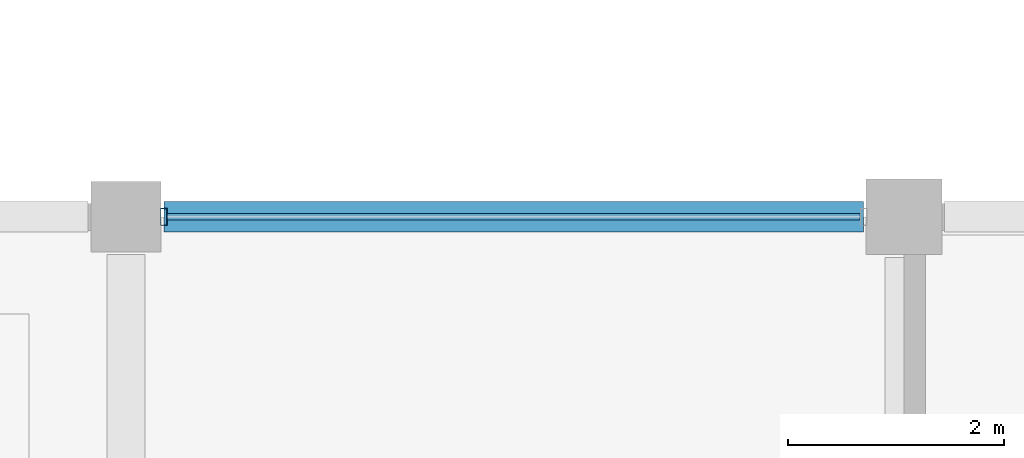
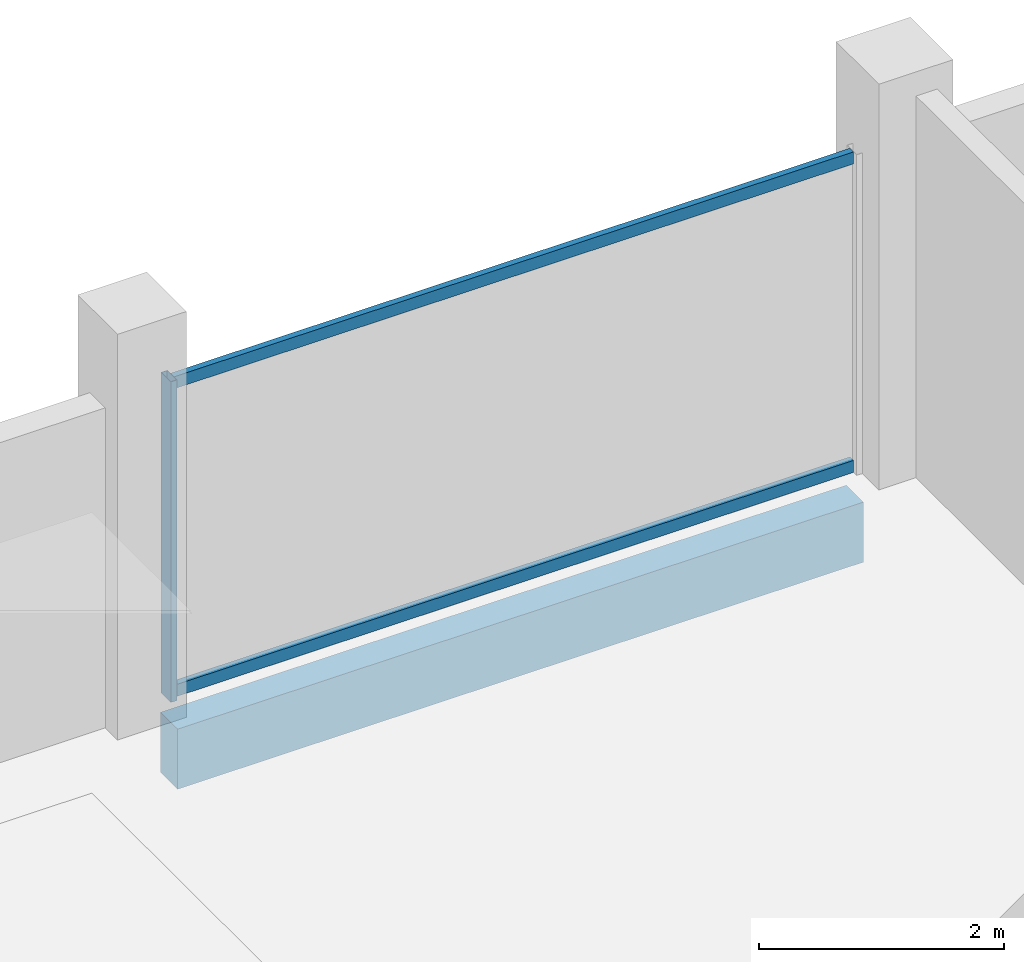
# One storey, part 6 of 108: 3 members, 1 beam, 1 element without a shape of its own.
"""IFC4 building model written with IfcOpenShell, lengths in metres."""

from ifc_helpers import new_model, si_unit, direction, frame, origin, origin_2d, place, context, subcontext, project, spatial, rectangle, hollow_rectangle, extrude, material, layer, layer_set, material_profile, profile_set, type_object, element, aggregate, save


model = new_model("IFC4")

# Units and contexts
model_context = context("Model", 3, precision=1e-05, world=origin(), true_north=direction((0.0, 1.0)))
body_context = subcontext(model_context, "Body", "Model", "MODEL_VIEW")
ifc_project = project(units=[si_unit("LENGTHUNIT", "METRE"), si_unit("AREAUNIT", "SQUARE_METRE"), si_unit("VOLUMEUNIT", "CUBIC_METRE"), si_unit("PLANEANGLEUNIT", "RADIAN"), si_unit("MASSUNIT", "GRAM", prefix="KILO")], contexts=[model_context])

# Site, building, storey
site_placement = place(None, origin())
site = spatial("IfcSite", under=ifc_project, at=site_placement, CompositionType="ELEMENT")
building_placement = place(site_placement, origin())
building = spatial("IfcBuilding", under=site, at=building_placement, Name="Kangsadwip Square Police Headquarters", CompositionType="ELEMENT")
storey_placement = place(building_placement, frame((0.0, 0.0, 9.449951171875)))
storey = spatial("IfcBuildingStorey", under=building, at=storey_placement, Name="L02", CompositionType="ELEMENT", Elevation=9.449951171875)

# Curtain wall, members
ifc_material_1 = material(Name="Thermally broken anodised aluminium AW-6063-T6", Category="aluminium")
ifc_layer = layer(ifc_material_1, 0.159912109375)
ifc_layer_set = layer_set([ifc_layer], Name="Thermally broken anodised aluminium AW-6063-T6")
curtain_wall_type = type_object("IfcCurtainWallType", Name="CourtScreen6535x3200", PredefinedType="USERDEFINED", material=ifc_layer_set)
curtain_wall_placement = place(storey_placement, origin())
curtain_wall = element("IfcCurtainWall", 1, at=curtain_wall_placement, inside=storey, type_object=curtain_wall_type, Name="Curtain Wall CW-L02-1227-0360", ObjectType="GLAZED_SCREEN", PredefinedType="USERDEFINED")
ifc_material_2 = material(Name="Thermally broken anodised aluminium AW-6063-T6", Category="aluminium")
ifc_material_profile_1 = material_profile(ifc_material_2, hollow_rectangle(XDim=0.06005859375, YDim=0.159912109375, WallThickness=0.00390625, at=origin_2d()), Name="CWM 160X60X4")
ifc_profile_set_1 = profile_set([ifc_material_profile_1], Name="Thermally broken anodised aluminium AW-6063-T6")
member_type_1 = type_object("IfcMemberType", Name="CwMullion135x60", PredefinedType="MULLION", material=ifc_profile_set_1)
member_1_placement = place(storey_placement, frame((122.75, 36.0, 0.0), z_axis=(0.0, 0.0, 1.0), x_axis=(1.0, 0.0, 0.0)))
member_1 = element("IfcMember", 2, at=member_1_placement, type_object=member_type_1, Name="CW-31 mullion 1", PredefinedType="MULLION", context=body_context, shape_type="SweptSolid", body=[
    extrude(hollow_rectangle(XDim=0.06005859375, YDim=0.159912109375, WallThickness=0.00390625, at=origin_2d()), origin(), (0.0, 0.0, 1.0), 3.199951171875),
])
ifc_material_3 = material(Name="Thermally broken anodised aluminium AW-6063-T6", Category="aluminium")
ifc_material_profile_2 = material_profile(ifc_material_3, hollow_rectangle(XDim=0.06005859375, YDim=0.1201171875, WallThickness=0.00390625, at=origin_2d()), Name="CWT 120X60X4")
ifc_profile_set_2 = profile_set([ifc_material_profile_2], Name="Thermally broken anodised aluminium AW-6063-T6")
member_type_2 = type_object("IfcMemberType", Name="CwTransom120x55", PredefinedType="USERDEFINED", material=ifc_profile_set_2)
member_2_placement = place(storey_placement, frame((122.780029296875, 36.0, 0.06005859375), z_axis=(1.0, 0.0, 0.0), x_axis=(0.0, 1.0, 0.0)))
member_2 = element("IfcMember", 3, at=member_2_placement, type_object=member_type_2, Name="CW-31 transom 1.1", ObjectType="TRANSOM", PredefinedType="USERDEFINED", context=body_context, shape_type="SweptSolid", body=[
    extrude(hollow_rectangle(XDim=0.06005859375, YDim=0.1201171875, WallThickness=0.00390625, at=origin_2d()), origin(), (0.0, 0.0, 1.0), 6.4150390625),
])
member_3_placement = place(storey_placement, frame((122.780029296875, 36.0, 3.14013671875), z_axis=(1.0, 0.0, 0.0), x_axis=(0.0, 1.0, 0.0)))
member_3 = element("IfcMember", 4, at=member_3_placement, type_object=member_type_2, Name="CW-31 transom 1.2", ObjectType="TRANSOM", PredefinedType="USERDEFINED", context=body_context, shape_type="SweptSolid", body=[
    extrude(hollow_rectangle(XDim=0.06005859375, YDim=0.1201171875, WallThickness=0.00390625, at=origin_2d()), origin(), (0.0, 0.0, 1.0), 6.4150390625),
])
aggregate(curtain_wall, [member_1, member_2, member_3])

# Beam
ifc_material_4 = material(Name="Concrete M40 (40 MPa)", Category="concrete")
ifc_material_profile_3 = material_profile(ifc_material_4, rectangle(XDim=0.280029296875, YDim=0.60009765625, at=origin_2d()), Name="RC SPN 600X280")
ifc_profile_set_3 = profile_set([ifc_material_profile_3], Name="Concrete M40 (40 MPa)")
beam_type = type_object("IfcBeamType", Name="RcSpandrel600x280", PredefinedType="SPANDREL", material=ifc_profile_set_3)
beam_placement = place(storey_placement, frame((122.75, 36.0, -0.5400390625), z_axis=(1.0, 0.0, 0.0), x_axis=(0.0, 1.0, 0.0)))
element("IfcBeam", 5, at=beam_placement, inside=storey, type_object=beam_type, Name="Beam BM-L02-X-17-05", PredefinedType="SPANDREL", context=body_context, shape_type="SweptSolid", body=[
    extrude(rectangle(XDim=0.280029296875, YDim=0.60009765625, at=origin_2d()), origin(), (0.0, 0.0, 1.0), 6.47509765625),
])

save(model, "model.ifc")
